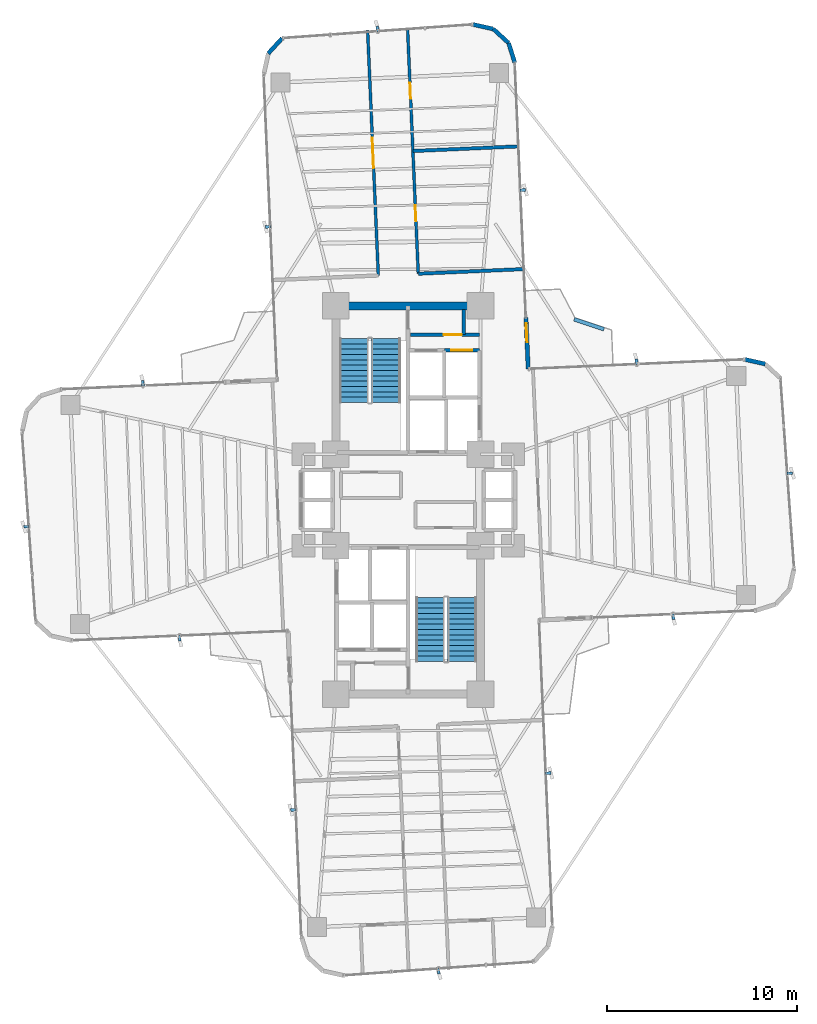
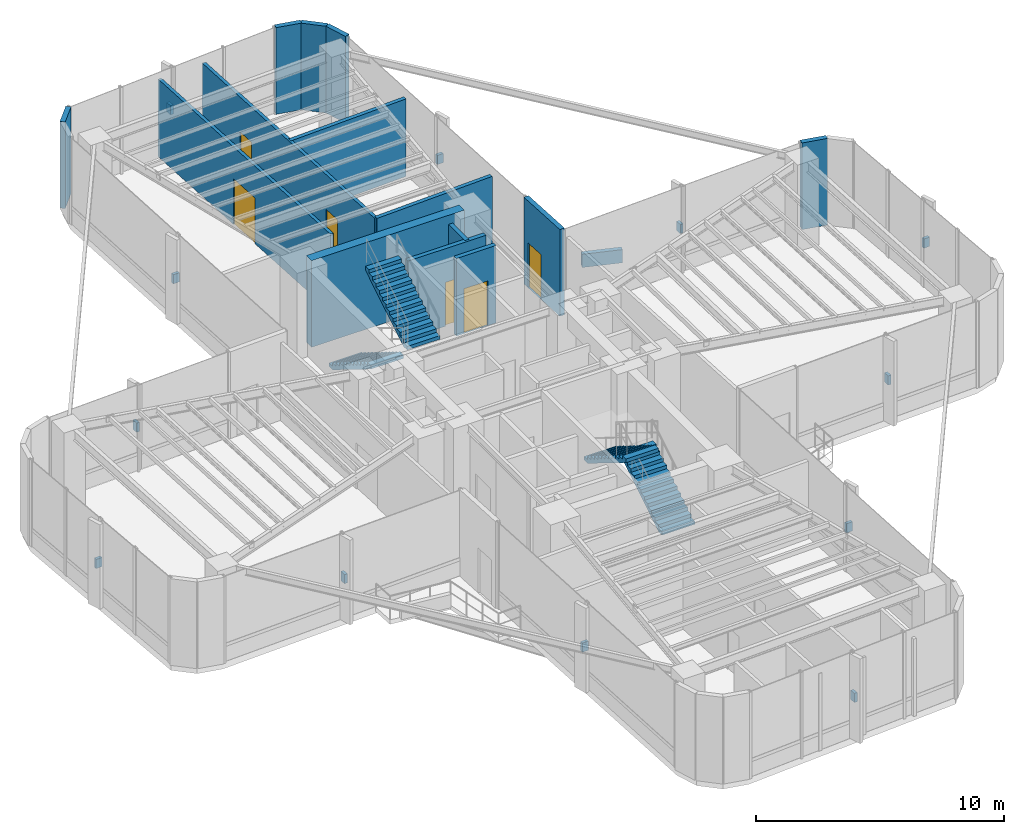
# One storey, part 20 of 21: 15 walls, 12 discrete accessories, 6 doors, 4 stair flights, 6 openings, 2 elements without a shape of their own.
"""IFC4 building model written with IfcOpenShell, lengths in metres."""

from ifc_helpers import new_model, si_unit, direction, frame, frame_2d, origin, origin_2d, place, context, subcontext, project, spatial, polyline, rectangle, outline, extrude, source, transform, mapped, material, layer, layer_set, type_object, element, fill, aggregate, save


model = new_model("IFC4")

# Units and contexts
model_context = context("Model", 3, precision=1e-05, world=origin(), true_north=direction((0.0, 1.0)))
body_context = subcontext(model_context, "Body", "Model", "MODEL_VIEW")
ifc_project = project(units=[si_unit("LENGTHUNIT", "METRE"), si_unit("AREAUNIT", "SQUARE_METRE"), si_unit("VOLUMEUNIT", "CUBIC_METRE"), si_unit("PLANEANGLEUNIT", "RADIAN"), si_unit("MASSUNIT", "GRAM", prefix="KILO")], contexts=[model_context])

# Site, building, storey
site_placement = place(None, origin())
site = spatial("IfcSite", under=ifc_project, at=site_placement, CompositionType="ELEMENT")
building_placement = place(site_placement, origin())
building = spatial("IfcBuilding", under=site, at=building_placement, Name="Sahyath Konkavel Grand Hotel", CompositionType="ELEMENT")
storey_placement = place(building_placement, frame((0.0, 0.0, 79.0)))
storey = spatial("IfcBuildingStorey", under=building, at=storey_placement, Name="L21", CompositionType="ELEMENT", Elevation=79.0)

# Walls
ifc_material_1 = material(Name="Concrete C50/60", Category="concrete")
ifc_layer_1 = layer(ifc_material_1, 0.419921875)
ifc_layer_set_1 = layer_set([ifc_layer_1], Name="Concrete C50/60")
wall_type_1 = type_object("IfcWallType", Name="CWALL-420", PredefinedType="SHEAR", material=ifc_layer_set_1)
wall_1_placement = place(storey_placement, frame((-3.550048828125, 10.199951171875, 0.0), z_axis=(0.0, 0.0, 1.0), x_axis=(1.0, 0.0, 0.0)))
element("IfcWall", 1, at=wall_1_placement, inside=storey, type_object=wall_type_1, Name="L21 North Core Shear Wall N", PredefinedType="SHEAR", context=body_context, shape_type="SweptSolid", body=[
    extrude(rectangle(XDim=7.10009765625, YDim=0.419921875, at=frame_2d((3.550048828125, 0.0))), origin(), (0.0, 0.0, 1.0), 4.260009765625),
])
ifc_material_2 = material(Name="Warm Buff Sandstone Insulated Concrete C40/50", Category="masonry")
ifc_layer_2 = layer(ifc_material_2, 0.219970703125)
ifc_layer_set_2 = layer_set([ifc_layer_2], Name="Warm Buff Sandstone Insulated Concrete C40/50")
wall_type_2 = type_object("IfcWallType", Name="WLL-BALC-THRESH", PredefinedType="STANDARD", material=ifc_layer_set_2)
wall_2_placement = place(storey_placement, frame((18.75634765625, 7.1435546875, 0.0), z_axis=(0.0, 0.0, 1.0), x_axis=(-0.976282085775, 0.216502399514, 0.0)))
element("IfcWall", 2, at=wall_2_placement, inside=storey, type_object=wall_type_2, Name="L21 Rounded Corner Sandstone Pier 6", PredefinedType="STANDARD", context=body_context, shape_type="SweptSolid", body=[
    extrude(rectangle(XDim=1.087158203125, YDim=0.219970703125, at=frame_2d((0.54345703125, 0.0))), origin(), (0.0, 0.0, 1.0), 4.260009765625),
])

# Wall, opening, door
wall_3_placement = place(storey_placement, frame((6.305908203125, 6.881591796875, 0.0), z_axis=(0.0, 0.0, 1.0), x_axis=(-0.043672655174, 0.999045894436, 0.0)))
wall_3 = element("IfcWall", 3, at=wall_3_placement, inside=storey, type_object=wall_type_2, Name="L21 Winter-Garden Threshold Wall 8", PredefinedType="STANDARD", context=body_context, shape_type="SweptSolid", body=[
    extrude(rectangle(XDim=2.7001953125, YDim=0.219970703125, at=frame_2d((1.35009765625, 0.0))), origin(), (0.0, 0.0, 1.0), 4.260009765625),
])
opening_1_placement = place(wall_3_placement, frame((1.39990234375, 0.0, 0.0)))
opening_1 = element("IfcOpeningElement", 4, at=opening_1_placement, cuts=wall_3, Name="Opening D-TR1", PredefinedType="OPENING", context=body_context, shape_type="SweptSolid", body=[
    extrude(rectangle(XDim=1.0, YDim=2.199951171875, at=frame_2d((0.5, 1.10009765625))), frame((0.0, 0.1201171875, 0.0), z_axis=(0.0, -1.0, 0.0), x_axis=(1.0, 0.0, 0.0)), (0.0, 0.0, 1.0), 0.239990234375),
])
ifc_material_3 = material(Name="Anodised Bronze Aluminium & Low-E Glazing", Category="aluminium")
door_type_1 = type_object("IfcDoorType", Name="DR-TERRACE-1000", OperationType="NOTDEFINED", PredefinedType="DOOR", material=ifc_material_3)
shared_shape_1 = source(origin(), body_context, "Body", "SweptSolid", [
    extrude(rectangle(XDim=1.0, YDim=0.050048828125, at=origin_2d()), origin(), (0.0, 0.0, 1.0), 2.199951171875),
])
door_1_placement = place(opening_1_placement, frame((0.5, 0.0, 0.0)))
door_1 = element("IfcDoor", 5, at=door_1_placement, inside=storey, type_object=door_type_1, Name="L21 Winter-Garden Terrace Door 8", OperationType="SINGLE_SWING_LEFT", OverallHeight=2.199951171875, OverallWidth=1.0, PredefinedType="DOOR", context=body_context, shape_type="MappedRepresentation", body=[
    mapped(shared_shape_1, transform((0.0, 0.0, 0.0), scale=1.0)),
])
fill(opening_1, door_1)

# Walls
wall_4_placement = place(storey_placement, frame((5.603515625, 22.96630859375, 0.0), z_axis=(0.0, 0.0, 1.0), x_axis=(-0.300755105707, 0.953701403161, 0.0)))
element("IfcWall", 6, at=wall_4_placement, inside=storey, type_object=wall_type_2, Name="L21 Rounded Corner Sandstone Pier 9", PredefinedType="STANDARD", context=body_context, shape_type="SweptSolid", body=[
    extrude(rectangle(XDim=1.0869140625, YDim=0.219970703125, at=frame_2d((0.54345703125, 0.0))), origin(), (0.0, 0.0, 1.0), 4.260009765625),
])
wall_5_placement = place(storey_placement, frame((5.276611328125, 24.0029296875, 0.0), z_axis=(0.0, 0.0, 1.0), x_axis=(-0.737312600672, 0.675551721847, 0.0)))
element("IfcWall", 7, at=wall_5_placement, inside=storey, type_object=wall_type_2, Name="L21 Rounded Corner Sandstone Pier 10", PredefinedType="STANDARD", context=body_context, shape_type="SweptSolid", body=[
    extrude(rectangle(XDim=1.087158203125, YDim=0.219970703125, at=frame_2d((0.54345703125, 0.0))), origin(), (0.0, 0.0, 1.0), 4.260009765625),
])
for number, where, z_axis, x_axis, name in (
    (8, (4.47509765625, 24.7373046875, 0.0), (0.0, 0.0, 1.0), (-0.976271555154, 0.216549880158, 0.0), "L21 Rounded Corner Sandstone Pier 11"),
    (9, (-6.6142578125, 24.253173828125, 0.0), (0.0, 0.0, 1.0), (-0.675663596772, -0.737210081318, 0.0), "L21 Rounded Corner Sandstone Pier 13"),
):
    element("IfcWall", number, at=place(storey_placement, frame(where, z_axis=z_axis, x_axis=x_axis)), inside=storey, type_object=wall_type_2, Name=name, PredefinedType="STANDARD", context=body_context, shape_type="SweptSolid", body=[
        extrude(rectangle(XDim=1.0869140625, YDim=0.219970703125, at=frame_2d((0.54345703125, 0.0))), origin(), (0.0, 0.0, 1.0), 4.260009765625),
    ])

# Wall, opening, door
ifc_material_4 = material(Name="Concrete C40/50", Category="concrete")
ifc_layer_3 = layer(ifc_material_4, 0.199951171875)
ifc_layer_set_3 = layer_set([ifc_layer_3], Name="Concrete C40/50")
wall_type_3 = type_object("IfcWallType", Name="WLL-CORE-200", PredefinedType="SOLIDWALL", material=ifc_layer_set_3)
wall_6_placement = place(storey_placement, frame((1.89990234375, 7.860107421875, 0.0), z_axis=(0.0, 0.0, 1.0), x_axis=(1.0, 0.0, 0.0)))
wall_6 = element("IfcWall", 10, at=wall_6_placement, inside=storey, type_object=wall_type_3, Name="L21 Partition SH-PL2-N", PredefinedType="SOLIDWALL", context=body_context, shape_type="SweptSolid", body=[
    extrude(rectangle(XDim=1.840087890625, YDim=0.199951171875, at=frame_2d((0.919921875, 0.0))), origin(), (0.0, 0.0, 1.0), 3.81005859375),
])
opening_2_placement = place(wall_6_placement, frame((0.360107421875, 0.0, 0.0)))
opening_2 = element("IfcOpeningElement", 11, at=opening_2_placement, cuts=wall_6, Name="Opening LD-11", PredefinedType="OPENING", context=body_context, shape_type="SweptSolid", body=[
    extrude(rectangle(XDim=1.10009765625, YDim=2.199951171875, at=frame_2d((0.550048828125, 1.10009765625))), frame((0.0, 0.10986328125, 0.0), z_axis=(0.0, -1.0, 0.0), x_axis=(1.0, 0.0, 0.0)), (0.0, 0.0, 1.0), 0.219970703125),
])
ifc_material_5 = material(Name="Bronze Lift Landing Door 1100")
door_type_2 = type_object("IfcDoorType", Name="DR-LIFT-1100", OperationType="DOUBLE_DOOR_SLIDING", PredefinedType="DOOR", material=ifc_material_5)
shared_shape_2 = source(origin(), body_context, "Body", "SweptSolid", [
    extrude(rectangle(XDim=1.10009765625, YDim=0.050048828125, at=origin_2d()), origin(), (0.0, 0.0, 1.0), 2.199951171875),
])
door_2_placement = place(opening_2_placement, frame((0.550048828125, 0.0, 0.0)))
door_2 = element("IfcDoor", 12, at=door_2_placement, inside=storey, type_object=door_type_2, Name="L21 Passenger Lift PL-2 Landing Door", OperationType="DOUBLE_DOOR_SLIDING", OverallHeight=2.199951171875, OverallWidth=1.10009765625, PredefinedType="DOOR", context=body_context, shape_type="MappedRepresentation", body=[
    mapped(shared_shape_2, transform((0.0, 0.0, 0.0), scale=1.0)),
])
fill(opening_2, door_2)

wall_7_placement = place(storey_placement, frame((0.1201171875, 8.679931640625, 0.0), z_axis=(0.0, 0.0, 1.0), x_axis=(1.0, 0.0, 0.0)))
wall_7 = element("IfcWall", 13, at=wall_7_placement, inside=storey, type_object=wall_type_3, Name="L21 North FF Lobby Separation Wall", PredefinedType="SOLIDWALL", context=body_context, shape_type="SweptSolid", body=[
    extrude(rectangle(XDim=3.619873046875, YDim=0.199951171875, at=frame_2d((1.81005859375, 0.0))), origin(), (0.0, 0.0, 1.0), 3.81005859375),
])
opening_3_placement = place(wall_7_placement, frame((1.75, 0.0, 0.0)))
opening_3 = element("IfcOpeningElement", 14, at=opening_3_placement, cuts=wall_7, Name="Opening D-F12C", PredefinedType="OPENING", context=body_context, shape_type="SweptSolid", body=[
    extrude(rectangle(XDim=0.949951171875, YDim=2.14990234375, at=frame_2d((0.47509765625, 1.074951171875))), frame((0.0, 0.10986328125, 0.0), z_axis=(0.0, -1.0, 0.0), x_axis=(1.0, 0.0, 0.0)), (0.0, 0.0, 1.0), 0.219970703125),
])
ifc_material_6 = material(Name="Steel E350 Plant Fire Door", Category="steel")
door_type_3 = type_object("IfcDoorType", Name="DR-FD120-950", OperationType="NOTDEFINED", PredefinedType="DOOR", material=ifc_material_6)
shared_shape_3 = source(origin(), body_context, "Body", "SweptSolid", [
    extrude(rectangle(XDim=0.949951171875, YDim=0.050048828125, at=origin_2d()), origin(), (0.0, 0.0, 1.0), 2.14990234375),
])
door_3_placement = place(opening_3_placement, frame((0.47509765625, 0.0, 0.0)))
door_3 = element("IfcDoor", 15, at=door_3_placement, inside=storey, type_object=door_type_3, Name="L21 North Firefighting Lobby Door", OperationType="SINGLE_SWING_RIGHT", OverallHeight=2.14990234375, OverallWidth=0.949951171875, PredefinedType="DOOR", context=body_context, shape_type="MappedRepresentation", body=[
    mapped(shared_shape_3, transform((0.0, 0.0, 0.0), scale=1.0)),
])
fill(opening_3, door_3)

# Walls
wall_8_placement = place(storey_placement, frame((2.919921875, 8.679931640625, 0.0), z_axis=(0.0, 0.0, 1.0), x_axis=(0.0, 1.0, 0.0)))
element("IfcWall", 16, at=wall_8_placement, inside=storey, type_object=wall_type_3, Name="L21 Partition NFF-E2", PredefinedType="SOLIDWALL", context=body_context, shape_type="SweptSolid", body=[
    extrude(rectangle(XDim=1.320068359375, YDim=0.199951171875, at=frame_2d((0.66015625, 0.0))), origin(), (0.0, 0.0, 1.0), 3.81005859375),
])
ifc_material_7 = material(Name="Twin-Stud Acoustic Gypsum Plasterboard Partition")
ifc_layer_4 = layer(ifc_material_7, 0.179931640625)
ifc_layer_set_4 = layer_set([ifc_layer_4], Name="Twin-Stud Acoustic Gypsum Plasterboard Partition")
wall_type_4 = type_object("IfcWallType", Name="WLL-DEMISE-180", PredefinedType="PARTITIONING", material=ifc_layer_set_4)
for number, where, z_axis, x_axis, name in (
    (17, (6.02685546875, 12.12451171875, 0.0), (0.0, 0.0, 1.0), (-0.999047596379, -0.043633704503, 0.0), "L21 Partition L21-N-INR"),
    (18, (0.250732421875, 18.328369140625, 0.0), (0.0, 0.0, 1.0), (0.999047596379, 0.043633704503, 0.0), "L21 Partition N-NSKIT-DEM"),
):
    element("IfcWall", number, at=place(storey_placement, frame(where, z_axis=z_axis, x_axis=x_axis)), inside=storey, type_object=wall_type_4, Name=name, PredefinedType="PARTITIONING", context=body_context, shape_type="SweptSolid", body=[
        extrude(rectangle(XDim=5.5, YDim=0.179931640625, at=frame_2d((2.75, 0.0))), origin(), (0.0, 0.0, 1.0), 3.81005859375),
    ])

# Wall, opening, door
ifc_material_8 = material(Name="Fire-Rated Gypsum Plasterboard Partition")
ifc_layer_5 = layer(ifc_material_8, 0.14990234375)
ifc_layer_set_5 = layer_set([ifc_layer_5], Name="Fire-Rated Gypsum Plasterboard Partition")
wall_type_5 = type_object("IfcWallType", Name="WLL-PART-150", PredefinedType="PARTITIONING", material=ifc_layer_set_5)
wall_9_placement = place(storey_placement, frame((-1.56591796875, 11.79296875, 0.0), z_axis=(0.0, 0.0, 1.0), x_axis=(-0.04362365918, 0.999048035061, 0.0)))
wall_9 = element("IfcWall", 19, at=wall_9_placement, inside=storey, type_object=wall_type_5, Name="L21 Partition L21-N-CL", PredefinedType="PARTITIONING", context=body_context, shape_type="SweptSolid", body=[
    extrude(rectangle(XDim=12.89990234375, YDim=0.14990234375, at=frame_2d((6.449951171875, 0.0))), origin(), (0.0, 0.0, 1.0), 3.81005859375),
])
opening_4_placement = place(wall_9_placement, frame((5.64990234375, 0.0, 0.0)))
opening_4 = element("IfcOpeningElement", 20, at=opening_4_placement, cuts=wall_9, Name="Opening D-DB16", PredefinedType="OPENING", context=body_context, shape_type="SweptSolid", body=[
    extrude(rectangle(XDim=1.60009765625, YDim=2.25, at=frame_2d((0.800048828125, 1.125))), frame((0.0, 0.0849609375, 0.0), z_axis=(0.0, -1.0, 0.0), x_axis=(1.0, 0.0, 0.0)), (0.0, 0.0, 1.0), 0.169921875),
])
ifc_material_9 = material(Name="Double Leaf Lounge Glazed Timber Door", Category="wood")
door_type_4 = type_object("IfcDoorType", Name="DR-DBL-1600", OperationType="DOUBLE_DOOR_SINGLE_SWING", PredefinedType="DOOR", material=ifc_material_9)
shared_shape_4 = source(origin(), body_context, "Body", "SweptSolid", [
    extrude(rectangle(XDim=1.60009765625, YDim=0.050048828125, at=origin_2d()), origin(), (0.0, 0.0, 1.0), 2.25),
])
door_4_placement = place(opening_4_placement, frame((0.800048828125, 0.0, 0.0)))
door_4 = element("IfcDoor", 21, at=door_4_placement, inside=storey, type_object=door_type_4, Name="L21 Door N-NSREST-D", OperationType="DOUBLE_DOOR_SINGLE_SWING", OverallHeight=2.25, OverallWidth=1.60009765625, PredefinedType="DOOR", context=body_context, shape_type="MappedRepresentation", body=[
    mapped(shared_shape_4, transform((0.0, 0.0, 0.0), scale=1.0)),
])
fill(opening_4, door_4)

# Wall, openings, doors
wall_10_placement = place(storey_placement, frame((0.531982421875, 11.884521484375, 0.0), z_axis=(0.0, 0.0, 1.0), x_axis=(-0.043604769507, 0.999048859704, 0.0)))
wall_10 = element("IfcWall", 22, at=wall_10_placement, inside=storey, type_object=wall_type_5, Name="L21 Partition L21-N-CR", PredefinedType="PARTITIONING", context=body_context, shape_type="SweptSolid", body=[
    extrude(rectangle(XDim=12.89990234375, YDim=0.14990234375, at=frame_2d((6.449951171875, 0.0))), origin(), (0.0, 0.0, 1.0), 3.81005859375),
])
opening_5_placement = place(wall_10_placement, frame((2.75, 0.0, 0.0)))
opening_5 = element("IfcOpeningElement", 23, at=opening_5_placement, cuts=wall_10, Name="Opening D-F06D", PredefinedType="OPENING", context=body_context, shape_type="SweptSolid", body=[
    extrude(rectangle(XDim=0.85009765625, YDim=2.10009765625, at=frame_2d((0.425048828125, 1.050048828125))), frame((0.0, 0.0849609375, 0.0), z_axis=(0.0, -1.0, 0.0), x_axis=(1.0, 0.0, 0.0)), (0.0, 0.0, 1.0), 0.169921875),
])
opening_6_placement = place(wall_10_placement, frame((9.199951171875, 0.0, 0.0)))
opening_6 = element("IfcOpeningElement", 24, at=opening_6_placement, cuts=wall_10, Name="Opening D-F06D", PredefinedType="OPENING", context=body_context, shape_type="SweptSolid", body=[
    extrude(rectangle(XDim=0.85009765625, YDim=2.10009765625, at=frame_2d((0.425048828125, 1.050048828125))), frame((0.0, 0.0849609375, 0.0), z_axis=(0.0, -1.0, 0.0), x_axis=(1.0, 0.0, 0.0)), (0.0, 0.0, 1.0), 0.169921875),
])
ifc_material_10 = material(Name="Fire-Rated Shaft Access Door")
door_type_5 = type_object("IfcDoorType", Name="DR-FD60-850", OperationType="NOTDEFINED", PredefinedType="DOOR", material=ifc_material_10)
shared_shape_5 = source(origin(), body_context, "Body", "SweptSolid", [
    extrude(rectangle(XDim=0.85009765625, YDim=0.050048828125, at=origin_2d()), origin(), (0.0, 0.0, 1.0), 2.10009765625),
])
door_5_placement = place(opening_5_placement, frame((0.425048828125, 0.0, 0.0)))
door_5 = element("IfcDoor", 25, at=door_5_placement, inside=storey, type_object=door_type_5, Name="L21 Door N-NSKIT-D", OperationType="SINGLE_SWING_LEFT", OverallHeight=2.10009765625, OverallWidth=0.85009765625, PredefinedType="DOOR", context=body_context, shape_type="MappedRepresentation", body=[
    mapped(shared_shape_5, transform((0.0, 0.0, 0.0), scale=1.0)),
])
fill(opening_5, door_5)
door_6_placement = place(opening_6_placement, frame((0.425048828125, 0.0, 0.0)))
door_6 = element("IfcDoor", 26, at=door_6_placement, inside=storey, type_object=door_type_5, Name="L21 Door N-NSHKP-D", OperationType="SINGLE_SWING_RIGHT", OverallHeight=2.10009765625, OverallWidth=0.85009765625, PredefinedType="DOOR", context=body_context, shape_type="MappedRepresentation", body=[
    mapped(shared_shape_5, transform((0.0, 0.0, 0.0), scale=1.0)),
])
fill(opening_6, door_6)

# Wall
ifc_material_11 = material(Name="Warm Buff Sandstone Planter Wall", Category="masonry")
ifc_layer_6 = layer(ifc_material_11, 0.199951171875)
ifc_layer_set_6 = layer_set([ifc_layer_6], Name="Warm Buff Sandstone Planter Wall")
wall_type_6 = type_object("IfcWallType", Name="WLL-PLANTER-200", PredefinedType="PARAPET", material=ifc_layer_set_6)
wall_11_placement = place(storey_placement, frame((10.289306640625, 8.963134765625, 0.0), z_axis=(0.0, 0.0, 1.0), x_axis=(-0.948712702277, 0.316139539662, 0.0)))
element("IfcWall", 27, at=wall_11_placement, inside=storey, type_object=wall_type_6, Name="L21 Sky-Garden Stone Planter PLANTER NE", PredefinedType="PARAPET", context=body_context, shape_type="SweptSolid", body=[
    extrude(rectangle(XDim=1.660400390625, YDim=0.199951171875, at=frame_2d((0.830078125, 0.0))), origin(), (0.0, 0.0, 1.0), 0.64990234375),
])

# Stair, stair flights
stair_type = type_object("IfcStairType", Name="STR-ST16-450", PredefinedType="HALF_TURN_STAIR", material=ifc_material_4)
stair_1_placement = place(storey_placement, origin())
stair_1 = element("IfcStair", 28, at=stair_1_placement, inside=storey, type_object=stair_type, Name="L21 North Core Smokeproof Exit Stair ST-1", PredefinedType="HALF_TURN_STAIR")
stair_flight_type = type_object("IfcStairFlightType", Name="STF-ST16-450", PredefinedType="STRAIGHT", material=ifc_material_4)
stair_flight_1_placement = place(storey_placement, frame((-2.840087890625, 8.47998046875, 0.0), z_axis=(0.0, 0.0, 1.0), x_axis=(0.0, -1.0, 0.0)))
stair_flight_1 = element("IfcStairFlight", 29, at=stair_flight_1_placement, type_object=stair_flight_type, Name="ST-1 flight 1", NumberOfRisers=13, NumberOfTreads=12, PredefinedType="STRAIGHT", RiserHeight=0.173076923, TreadLength=0.28, context=body_context, shape_type="SweptSolid", body=[
    extrude(outline(polyline([(0.0, 0.0), (0.0, 0.173095703125), (0.280029296875, 0.173095703125), (0.280029296875, 0.34619140625), (0.56005859375, 0.34619140625), (0.56005859375, 0.519287109375), (0.840087890625, 0.519287109375), (0.840087890625, 0.6923828125), (1.1201171875, 0.6923828125), (1.1201171875, 0.865478515625), (1.39990234375, 0.865478515625), (1.39990234375, 1.03857421875), (1.679931640625, 1.03857421875), (1.679931640625, 1.21142578125), (1.9599609375, 1.21142578125), (1.9599609375, 1.384521484375), (2.239990234375, 1.384521484375), (2.239990234375, 1.5576171875), (2.52001953125, 1.5576171875), (2.52001953125, 1.730712890625), (2.800048828125, 1.730712890625), (2.800048828125, 1.90380859375), (3.080078125, 1.90380859375), (3.080078125, 2.076904296875), (3.360107421875, 2.076904296875), (3.360107421875, 2.25), (3.360107421875, 1.900634765625), (0.28515625, 0.0), (0.0, 0.0)])), frame((0.0, 0.760009765625, 0.0), z_axis=(0.0, -1.0, 0.0), x_axis=(1.0, 0.0, 0.0)), (0.0, 0.0, 1.0), 1.52001953125),
])
stair_flight_2_placement = place(storey_placement, frame((-1.159912109375, 5.1201171875, 2.25), z_axis=(0.0, 0.0, 1.0), x_axis=(0.0, 1.0, 0.0)))
stair_flight_2 = element("IfcStairFlight", 30, at=stair_flight_2_placement, type_object=stair_flight_type, Name="ST-1 flight 2", NumberOfRisers=13, NumberOfTreads=12, PredefinedType="STRAIGHT", RiserHeight=0.173076923, TreadLength=0.28, context=body_context, shape_type="SweptSolid", body=[
    extrude(outline(polyline([(0.0, 0.0), (0.0, 0.173095703125), (0.280029296875, 0.173095703125), (0.280029296875, 0.34619140625), (0.56005859375, 0.34619140625), (0.56005859375, 0.519287109375), (0.840087890625, 0.519287109375), (0.840087890625, 0.6923828125), (1.1201171875, 0.6923828125), (1.1201171875, 0.865478515625), (1.39990234375, 0.865478515625), (1.39990234375, 1.03857421875), (1.679931640625, 1.03857421875), (1.679931640625, 1.21142578125), (1.9599609375, 1.21142578125), (1.9599609375, 1.384521484375), (2.239990234375, 1.384521484375), (2.239990234375, 1.5576171875), (2.52001953125, 1.5576171875), (2.52001953125, 1.730712890625), (2.800048828125, 1.730712890625), (2.800048828125, 1.90380859375), (3.080078125, 1.90380859375), (3.080078125, 2.076904296875), (3.360107421875, 2.076904296875), (3.360107421875, 2.25), (3.360107421875, 1.900634765625), (0.28515625, 0.0), (0.0, 0.0)])), frame((0.0, 0.760009765625, 0.0), z_axis=(0.0, -1.0, 0.0), x_axis=(1.0, 0.0, 0.0)), (0.0, 0.0, 1.0), 1.52001953125),
])
aggregate(stair_1, [stair_flight_1, stair_flight_2])

stair_2_placement = place(storey_placement, origin())
stair_2 = element("IfcStair", 31, at=stair_2_placement, inside=storey, type_object=stair_type, Name="L21 South Core Smokeproof Exit Stair ST-2", PredefinedType="HALF_TURN_STAIR")
stair_flight_3_placement = place(storey_placement, frame((2.840087890625, -8.47998046875, 0.0), z_axis=(0.0, 0.0, 1.0), x_axis=(0.0, 1.0, 0.0)))
stair_flight_3 = element("IfcStairFlight", 32, at=stair_flight_3_placement, type_object=stair_flight_type, Name="ST-2 flight 1", NumberOfRisers=13, NumberOfTreads=12, PredefinedType="STRAIGHT", RiserHeight=0.173076923, TreadLength=0.28, context=body_context, shape_type="SweptSolid", body=[
    extrude(outline(polyline([(0.0, 0.0), (0.0, 0.173095703125), (0.280029296875, 0.173095703125), (0.280029296875, 0.34619140625), (0.56005859375, 0.34619140625), (0.56005859375, 0.519287109375), (0.840087890625, 0.519287109375), (0.840087890625, 0.6923828125), (1.1201171875, 0.6923828125), (1.1201171875, 0.865478515625), (1.39990234375, 0.865478515625), (1.39990234375, 1.03857421875), (1.679931640625, 1.03857421875), (1.679931640625, 1.21142578125), (1.9599609375, 1.21142578125), (1.9599609375, 1.384521484375), (2.239990234375, 1.384521484375), (2.239990234375, 1.5576171875), (2.52001953125, 1.5576171875), (2.52001953125, 1.730712890625), (2.800048828125, 1.730712890625), (2.800048828125, 1.90380859375), (3.080078125, 1.90380859375), (3.080078125, 2.076904296875), (3.360107421875, 2.076904296875), (3.360107421875, 2.25), (3.360107421875, 1.900634765625), (0.28515625, 0.0), (0.0, 0.0)])), frame((0.0, 0.760009765625, 0.0), z_axis=(0.0, -1.0, 0.0), x_axis=(1.0, 0.0, 0.0)), (0.0, 0.0, 1.0), 1.52001953125),
])
stair_flight_4_placement = place(storey_placement, frame((1.159912109375, -5.1201171875, 2.25), z_axis=(0.0, 0.0, 1.0), x_axis=(0.0, -1.0, 0.0)))
stair_flight_4 = element("IfcStairFlight", 33, at=stair_flight_4_placement, type_object=stair_flight_type, Name="ST-2 flight 2", NumberOfRisers=13, NumberOfTreads=12, PredefinedType="STRAIGHT", RiserHeight=0.173076923, TreadLength=0.28, context=body_context, shape_type="SweptSolid", body=[
    extrude(outline(polyline([(0.0, 0.0), (0.0, 0.173095703125), (0.280029296875, 0.173095703125), (0.280029296875, 0.34619140625), (0.56005859375, 0.34619140625), (0.56005859375, 0.519287109375), (0.840087890625, 0.519287109375), (0.840087890625, 0.6923828125), (1.1201171875, 0.6923828125), (1.1201171875, 0.865478515625), (1.39990234375, 0.865478515625), (1.39990234375, 1.03857421875), (1.679931640625, 1.03857421875), (1.679931640625, 1.21142578125), (1.9599609375, 1.21142578125), (1.9599609375, 1.384521484375), (2.239990234375, 1.384521484375), (2.239990234375, 1.5576171875), (2.52001953125, 1.5576171875), (2.52001953125, 1.730712890625), (2.800048828125, 1.730712890625), (2.800048828125, 1.90380859375), (3.080078125, 1.90380859375), (3.080078125, 2.076904296875), (3.360107421875, 2.076904296875), (3.360107421875, 2.25), (3.360107421875, 1.900634765625), (0.28515625, 0.0), (0.0, 0.0)])), frame((0.0, 0.760009765625, 0.0), z_axis=(0.0, -1.0, 0.0), x_axis=(1.0, 0.0, 0.0)), (0.0, 0.0, 1.0), 1.52001953125),
])
aggregate(stair_2, [stair_flight_3, stair_flight_4])

# Discrete accessories
ifc_material_12 = material(Name="Steel E350", Category="steel")
discrete_accessory_type = type_object("IfcDiscreteAccessoryType", Name="ACC-FIN-BRACKET", PredefinedType="BRACKET", material=ifc_material_12)
shared_shape_6 = source(origin(), body_context, "Body", "SweptSolid", [
    extrude(rectangle(XDim=0.280029296875, YDim=0.139892578125, at=origin_2d()), origin(), (0.0, 0.0, 1.0), 0.449951171875),
])
for number, where, z_axis, x_axis, name in (
    (34, (13.9306640625, -6.128173828125, 1.90478515625), (0.0, 0.0, 1.0), (0.043601950678, -0.999048982732, 0.0), "L21 Fin Support Bracket F0-1"),
    (35, (20.047119140625, 1.404296875, 1.90478515625), (0.0, 0.0, 1.0), (0.997435789037, 0.071567078661, 0.0), "L21 Fin Support Bracket F4-2"),
    (36, (11.99462890625, 7.26025390625, 1.90478515625), (0.0, 0.0, 1.0), (-0.043619387365, 0.999048221582, 0.0), "L21 Fin Support Bracket F7-1"),
    (37, (6.025634765625, 16.2783203125, 1.90478515625), (0.0, 0.0, 1.0), (0.999048221582, 0.043619387365, 0.0), "L21 Fin Support Bracket F8-1"),
    (38, (-1.609375, 24.74267578125, 1.90478515625), (0.0, 0.0, 1.0), (-0.071567078661, 0.997435789037, 0.0), "L21 Fin Support Bracket F12-2"),
    (39, (-7.362548828125, 14.342529296875, 1.90478515625), (0.0, 0.0, 1.0), (-0.999048221582, -0.043619387365, 0.0), "L21 Fin Support Bracket F15-1"),
    (40, (-13.9306640625, 6.128173828125, 1.90478515625), (0.0, 0.0, 1.0), (-0.043601950678, 0.999048982732, 0.0), "L21 Fin Support Bracket F16-1"),
    (41, (-20.047119140625, -1.404296875, 1.90478515625), (0.0, 0.0, 1.0), (-0.997435789037, -0.071567078661, 0.0), "L21 Fin Support Bracket F20-2"),
    (42, (-11.99462890625, -7.26025390625, 1.90478515625), (0.0, 0.0, 1.0), (0.043619387365, -0.999048221582, 0.0), "L21 Fin Support Bracket F23-1"),
    (43, (-6.025634765625, -16.2783203125, 1.90478515625), (0.0, 0.0, 1.0), (-0.999048221582, -0.043619387365, 0.0), "L21 Fin Support Bracket F24-1"),
    (44, (1.609375, -24.74267578125, 1.90478515625), (0.0, 0.0, 1.0), (0.071567078661, -0.997435789037, 0.0), "L21 Fin Support Bracket F28-2"),
    (45, (7.362548828125, -14.342529296875, 1.90478515625), (0.0, 0.0, 1.0), (0.999048221582, 0.043619387365, 0.0), "L21 Fin Support Bracket F31-1"),
):
    element("IfcDiscreteAccessory", number, at=place(storey_placement, frame(where, z_axis=z_axis, x_axis=x_axis)), inside=storey, type_object=discrete_accessory_type, Name=name, PredefinedType="BRACKET", context=body_context, shape_type="MappedRepresentation", body=[
        mapped(shared_shape_6, transform((0.0, 0.0, 0.0), scale=1.0)),
    ])

save(model, "model.ifc")
